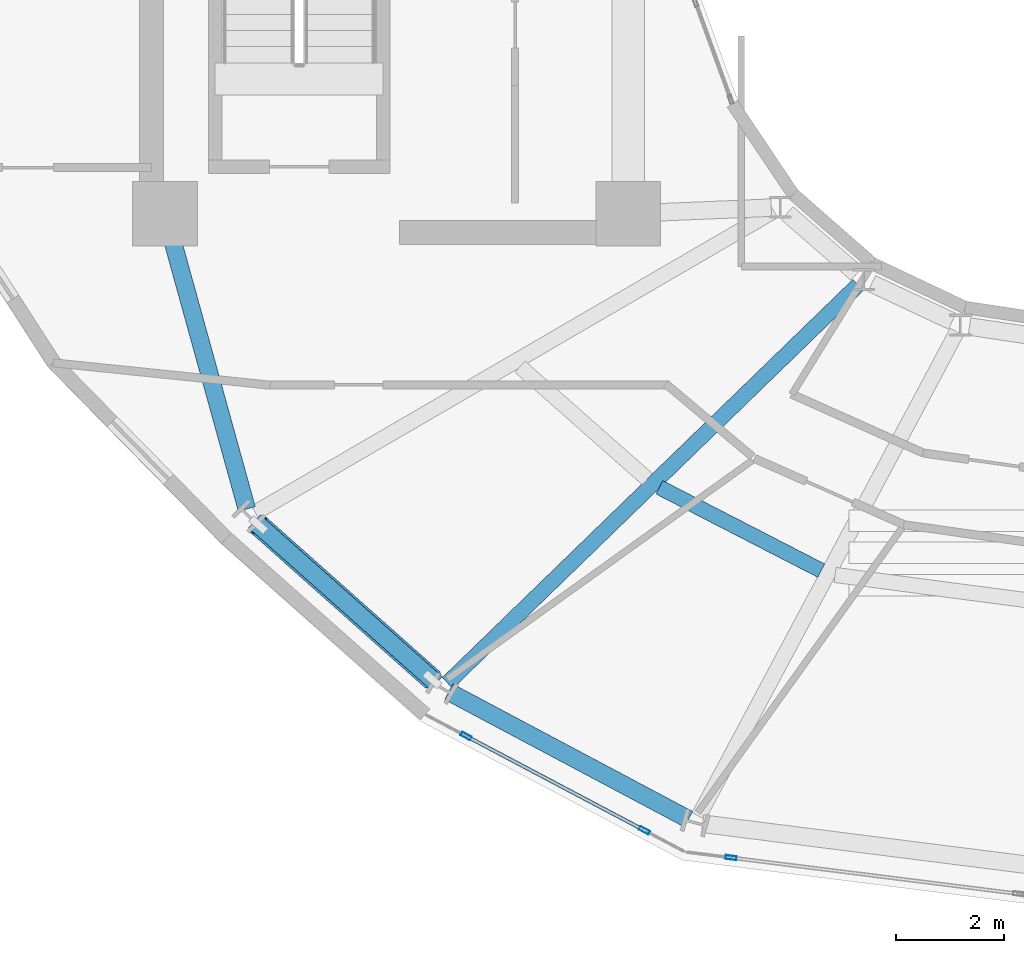
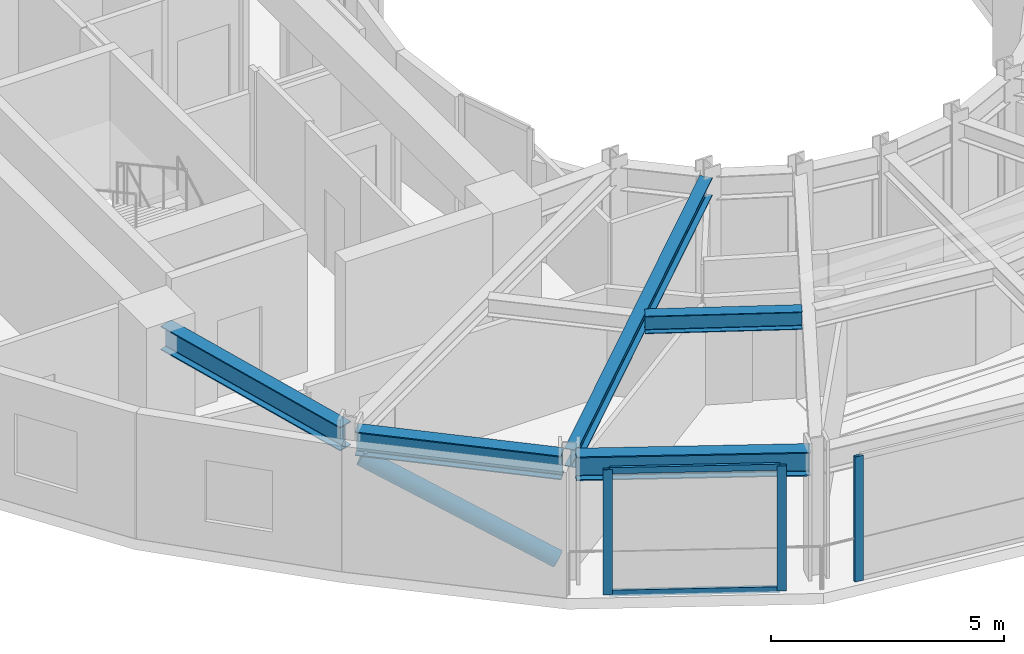
# One storey, part 2 of 24: 6 members, 5 beams, 2 elements without a shape of their own.
"""IFC4 building model written with IfcOpenShell, lengths in metres."""

from ifc_helpers import new_model, si_unit, direction, frame, origin, origin_2d, place, context, subcontext, project, spatial, hollow_rectangle, hollow_circle, i_section, extrude, material, layer, layer_set, material_profile, profile_set, type_object, element, aggregate, save


model = new_model("IFC4")

# Units and contexts
model_context = context("Model", 3, precision=1e-05, world=origin(), true_north=direction((0.0, 1.0)))
body_context = subcontext(model_context, "Body", "Model", "MODEL_VIEW")
ifc_project = project(units=[si_unit("LENGTHUNIT", "METRE"), si_unit("AREAUNIT", "SQUARE_METRE"), si_unit("VOLUMEUNIT", "CUBIC_METRE"), si_unit("PLANEANGLEUNIT", "RADIAN"), si_unit("MASSUNIT", "GRAM", prefix="KILO")], contexts=[model_context])

# Site, building, storey
site_placement = place(None, origin())
site = spatial("IfcSite", under=ifc_project, at=site_placement, CompositionType="ELEMENT")
building_placement = place(site_placement, origin())
building = spatial("IfcBuilding", under=site, at=building_placement, Name="Solvane Sanctuary Tower", CompositionType="ELEMENT")
storey_placement = place(building_placement, frame((0.0, 0.0, 253.199951171875)))
storey = spatial("IfcBuildingStorey", under=building, at=storey_placement, Name="L77", CompositionType="ELEMENT", Elevation=253.199951171875)

# Beams
ifc_material_1 = material(Name="Steel ASTM A992 Grade 50", Category="steel")
ifc_material_profile_1 = material_profile(ifc_material_1, i_section(OverallWidth=0.282958984375, OverallDepth=0.471923828125, WebThickness=0.013671875, FlangeThickness=0.022216796875, FilletRadius=0.013916015625, at=origin_2d()), Name="W18X97")
ifc_profile_set_1 = profile_set([ifc_material_profile_1], Name="Steel ASTM A992 Grade 50")
beam_type_1 = type_object("IfcBeamType", Name="Beam B-RAD-Z4 W18X97", PredefinedType="JOIST", material=ifc_profile_set_1)
beam_1_placement = place(storey_placement, frame((28.16943359375, 15.575927734375, 3.08203125), z_axis=(-0.71793137972, -0.696113880061, 0.0), x_axis=(0.696113880061, -0.71793137972, 0.0)))
element("IfcBeam", 1, at=beam_1_placement, inside=storey, type_object=beam_type_1, Name="L77 Radial Composite Floor Beam 09", PredefinedType="JOIST", context=body_context, shape_type="SweptSolid", body=[
    extrude(i_section(OverallWidth=0.282958984375, OverallDepth=0.471923828125, WebThickness=0.013671875, FlangeThickness=0.022216796875, FilletRadius=0.013916015625, at=origin_2d()), origin(), (0.0, 0.0, 1.0), 10.619384765625),
])
ifc_material_profile_2 = material_profile(ifc_material_1, i_section(OverallWidth=0.280029296875, OverallDepth=0.462890625, WebThickness=0.0107421875, FlangeThickness=0.017333984375, FilletRadius=0.013916015625, at=origin_2d()), Name="W18X76")
ifc_profile_set_2 = profile_set([ifc_material_profile_2], Name="Steel ASTM A992 Grade 50")
beam_type_2 = type_object("IfcBeamType", Name="Beam B-SEC-JOIST W18X76", PredefinedType="JOIST", material=ifc_profile_set_2)
beam_2_placement = place(storey_placement, frame((24.47900390625, 11.8173828125, 3.086669921875), z_axis=(0.88924080122, -0.4574393921, 0.0), x_axis=(0.4574393921, 0.88924080122, 0.0)))
element("IfcBeam", 2, at=beam_2_placement, inside=storey, type_object=beam_type_2, Name="L77 Secondary Circumferential Joist 09-10", PredefinedType="JOIST", context=body_context, shape_type="SweptSolid", body=[
    extrude(i_section(OverallWidth=0.280029296875, OverallDepth=0.462890625, WebThickness=0.0107421875, FlangeThickness=0.017333984375, FilletRadius=0.013916015625, at=origin_2d()), origin(), (0.0, 0.0, 1.0), 3.380615234375),
])
ifc_material_profile_3 = material_profile(ifc_material_1, i_section(OverallWidth=0.327880859375, OverallDepth=0.6279296875, WebThickness=0.0166015625, FlangeThickness=0.027587890625, FilletRadius=0.01611328125, at=origin_2d()), Name="W24X146")
ifc_profile_set_3 = profile_set([ifc_material_profile_3], Name="Steel ASTM A992 Grade 50")
beam_type_3 = type_object("IfcBeamType", Name="Beam B-SPAND-Z3 W24X146", PredefinedType="SPANDREL", material=ifc_profile_set_3)
beam_3_placement = place(storey_placement, frame((15.374755859375, 16.630126953125, 3.004150390625), z_axis=(0.266650248701, -0.963793362121, 0.0), x_axis=(0.963793362121, 0.266650248701, 0.0)))
element("IfcBeam", 3, at=beam_3_placement, inside=storey, type_object=beam_type_3, Name="L77 Perimeter Spandrel Beam CW1-TC08", PredefinedType="SPANDREL", context=body_context, shape_type="SweptSolid", body=[
    extrude(i_section(OverallWidth=0.327880859375, OverallDepth=0.6279296875, WebThickness=0.0166015625, FlangeThickness=0.027587890625, FilletRadius=0.01611328125, at=origin_2d()), origin(), (0.0, 0.0, 1.0), 5.412109375),
])
beam_4_placement = place(storey_placement, frame((16.959716796875, 11.18603515625, 3.004150390625), z_axis=(0.747206834793, -0.664591563322, 0.0), x_axis=(0.664591563322, 0.747206834793, 0.0)))
element("IfcBeam", 4, at=beam_4_placement, inside=storey, type_object=beam_type_3, Name="L77 Perimeter Spandrel Beam TC08-TC09", PredefinedType="SPANDREL", context=body_context, shape_type="SweptSolid", body=[
    extrude(i_section(OverallWidth=0.327880859375, OverallDepth=0.6279296875, WebThickness=0.0166015625, FlangeThickness=0.027587890625, FilletRadius=0.01611328125, at=origin_2d()), origin(), (0.0, 0.0, 1.0), 4.5244140625),
])
beam_5_placement = place(storey_placement, frame((20.568603515625, 8.0205078125, 3.004150390625), z_axis=(0.883011615456, -0.469351133981, 0.0), x_axis=(0.469351133981, 0.883011615456, 0.0)))
element("IfcBeam", 5, at=beam_5_placement, inside=storey, type_object=beam_type_3, Name="L77 Perimeter Spandrel Beam TC09-TC10", PredefinedType="SPANDREL", context=body_context, shape_type="SweptSolid", body=[
    extrude(i_section(OverallWidth=0.327880859375, OverallDepth=0.6279296875, WebThickness=0.0166015625, FlangeThickness=0.027587890625, FilletRadius=0.01611328125, at=origin_2d()), origin(), (0.0, 0.0, 1.0), 5.04150390625),
])

# Curtain wall, members
ifc_material_2 = material(Name="Anodised Aluminium 6063-T6", Category="aluminium")
ifc_layer = layer(ifc_material_2, 0.18994140625, Name="Anodised Aluminium 6063-T6")
ifc_layer_set = layer_set([ifc_layer], Name="Anodised Aluminium 6063-T6")
curtain_wall_type = type_object("IfcCurtainWallType", Name="Curtain Wall CW-OPER", PredefinedType="NOTDEFINED", material=ifc_layer_set)
curtain_wall_1_placement = place(storey_placement, origin())
curtain_wall_1 = element("IfcCurtainWall", 6, at=curtain_wall_1_placement, inside=storey, type_object=curtain_wall_type, Name="L77 CW-OPER Facade Run 16", PredefinedType="NOTDEFINED")
ifc_material_profile_4 = material_profile(ifc_material_2, hollow_rectangle(XDim=0.074951171875, YDim=0.199951171875, WallThickness=0.00390625, at=origin_2d()), Name="ALU200X75X4")
ifc_profile_set_4 = profile_set([ifc_material_profile_4], Name="Anodised Aluminium 6063-T6")
member_type_1 = type_object("IfcMemberType", Name="Member M-CW-MUL-1 ALU200X75X4", PredefinedType="MULLION", material=ifc_profile_set_4)
member_1_placement = place(storey_placement, frame((20.887939453125, 7.199951171875, 0.0), z_axis=(0.0, 0.0, 1.0), x_axis=(0.467523293544, 0.883980752049, 0.0)))
member_1 = element("IfcMember", 7, at=member_1_placement, type_object=member_type_1, Name="CW-OPER mullion 1", PredefinedType="MULLION", context=body_context, shape_type="SweptSolid", body=[
    extrude(hollow_rectangle(XDim=0.074951171875, YDim=0.199951171875, WallThickness=0.00390625, at=origin_2d()), origin(), (0.0, 0.0, 1.0), 3.280029296875),
])
member_2_placement = place(storey_placement, frame((24.198974609375, 5.448974609375, 0.0), z_axis=(0.0, 0.0, 1.0), x_axis=(0.467523293544, 0.883980752049, 0.0)))
member_2 = element("IfcMember", 8, at=member_2_placement, type_object=member_type_1, Name="CW-OPER mullion 2", PredefinedType="MULLION", context=body_context, shape_type="SweptSolid", body=[
    extrude(hollow_rectangle(XDim=0.074951171875, YDim=0.199951171875, WallThickness=0.00390625, at=origin_2d()), origin(), (0.0, 0.0, 1.0), 3.280029296875),
])

# Curtain wall, member
curtain_wall_2_placement = place(storey_placement, origin())
curtain_wall_2 = element("IfcCurtainWall", 9, at=curtain_wall_2_placement, inside=storey, type_object=curtain_wall_type, Name="L77 CW-OPER Facade Run 17", PredefinedType="NOTDEFINED")
member_3_placement = place(storey_placement, frame((25.807861328125, 4.941162109375, 0.0), z_axis=(0.0, 0.0, 1.0), x_axis=(0.124814850727, 0.992180050716, 0.0)))
member_3 = element("IfcMember", 10, at=member_3_placement, type_object=member_type_1, Name="CW-OPER mullion 1", PredefinedType="MULLION", context=body_context, shape_type="SweptSolid", body=[
    extrude(hollow_rectangle(XDim=0.074951171875, YDim=0.199951171875, WallThickness=0.00390625, at=origin_2d()), origin(), (0.0, 0.0, 1.0), 3.280029296875),
])
aggregate(curtain_wall_2, [member_3])

# Member
ifc_material_profile_5 = material_profile(ifc_material_2, hollow_rectangle(XDim=0.06494140625, YDim=0.159912109375, WallThickness=0.00341796875, at=origin_2d()), Name="ALU160X65X3.5")
ifc_profile_set_5 = profile_set([ifc_material_profile_5], Name="Anodised Aluminium 6063-T6")
member_type_2 = type_object("IfcMemberType", Name="Member M-CW-TRN-1 ALU160X65X3.5", PredefinedType="USERDEFINED", material=ifc_profile_set_5)
member_4_placement = place(storey_placement, frame((20.921142578125, 7.1826171875, 0.032470703125), z_axis=(0.883977140568, -0.467530121975, 0.0), x_axis=(0.467530121975, 0.883977140568, 0.0)))
member_4 = element("IfcMember", 11, at=member_4_placement, type_object=member_type_2, Name="CW-OPER transom 1.1", ObjectType="TRANSOM", PredefinedType="USERDEFINED", context=body_context, shape_type="SweptSolid", body=[
    extrude(hollow_rectangle(XDim=0.06494140625, YDim=0.159912109375, WallThickness=0.00341796875, at=origin_2d()), origin(), (0.0, 0.0, 1.0), 3.67041015625),
])

member_5_placement = place(storey_placement, frame((20.921142578125, 7.1826171875, 3.24755859375), z_axis=(0.883977140568, -0.467530121975, 0.0), x_axis=(0.467530121975, 0.883977140568, 0.0)))
member_5 = element("IfcMember", 12, at=member_5_placement, type_object=member_type_2, Name="CW-OPER transom 1.2", ObjectType="TRANSOM", PredefinedType="USERDEFINED", context=body_context, shape_type="SweptSolid", body=[
    extrude(hollow_rectangle(XDim=0.06494140625, YDim=0.159912109375, WallThickness=0.00341796875, at=origin_2d()), origin(), (0.0, 0.0, 1.0), 3.67041015625),
])

aggregate(curtain_wall_1, [member_1, member_2, member_4, member_5])

ifc_material_profile_6 = material_profile(ifc_material_1, hollow_circle(Radius=0.202880859375, WallThickness=0.012451171875, at=origin_2d()), Name="CHS406X12.5")
ifc_profile_set_6 = profile_set([ifc_material_profile_6], Name="Steel ASTM A992 Grade 50")
member_type_3 = type_object("IfcMemberType", Name="Member M-TUBE-Z3 CHS406X12.5", PredefinedType="BRACE", material=ifc_profile_set_6)
member_6_placement = place(storey_placement, frame((20.2607421875, 8.25, 0.49853515625), z_axis=(-0.673397052397, 0.598966005648, 0.433331436549), x_axis=(-0.664606066876, -0.747193934579, 0.0)))
element("IfcMember", 13, at=member_6_placement, inside=storey, type_object=member_type_3, Name="L77 Perimeter Braced-Tube Diagonal SW", PredefinedType="BRACE", context=body_context, shape_type="SweptSolid", body=[
    extrude(hollow_circle(Radius=0.202880859375, WallThickness=0.012451171875, at=origin_2d()), origin(), (0.0, 0.0, 1.0), 4.788818359375),
])

save(model, "model.ifc")
